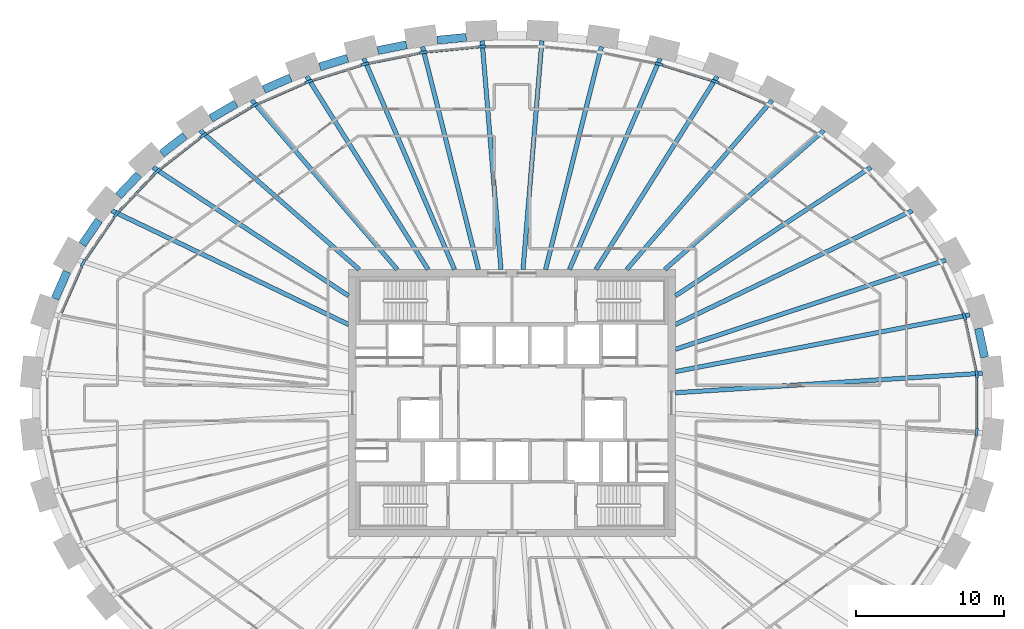
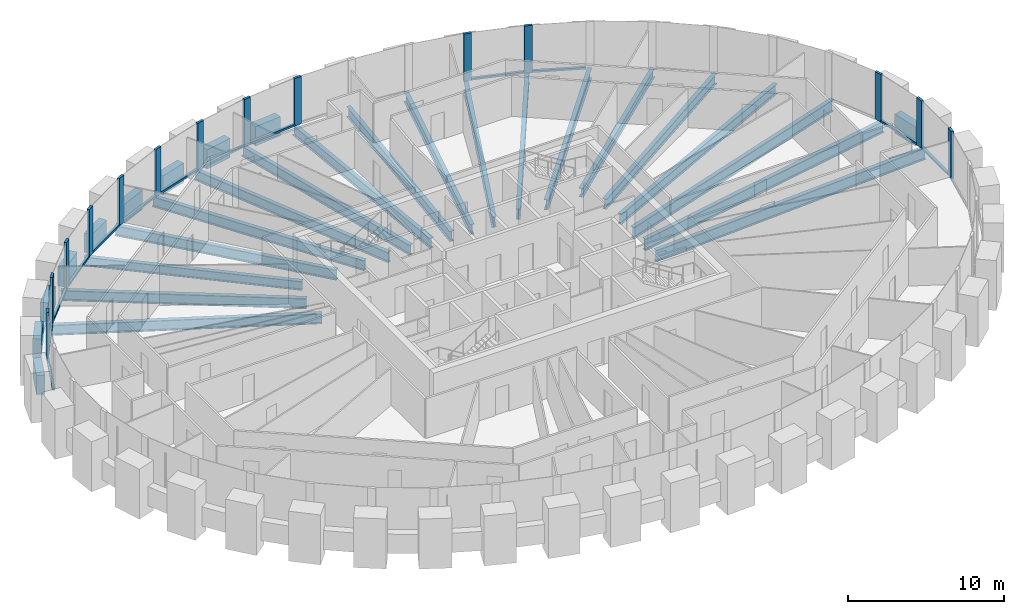
# One storey, part 3 of 12: 29 beams, 27 members, 1 element without a shape of its own.
"""IFC4 building model written with IfcOpenShell, lengths in metres."""

from ifc_helpers import new_model, si_unit, direction, frame, origin, origin_2d, place, context, subcontext, project, spatial, rectangle, i_section, extrude, source, transform, mapped, material, material_profile, profile_set, type_object, element, aggregate, save


model = new_model("IFC4")

# Units and contexts
model_context = context("Model", 3, precision=1e-05, world=origin(), true_north=direction((0.0, 1.0)))
body_context = subcontext(model_context, "Body", "Model", "MODEL_VIEW")
ifc_project = project(units=[si_unit("LENGTHUNIT", "METRE"), si_unit("AREAUNIT", "SQUARE_METRE"), si_unit("VOLUMEUNIT", "CUBIC_METRE"), si_unit("PLANEANGLEUNIT", "RADIAN"), si_unit("MASSUNIT", "GRAM", prefix="KILO")], contexts=[model_context])

# Site, building, storey
site_placement = place(None, origin())
site = spatial("IfcSite", under=ifc_project, at=site_placement, CompositionType="ELEMENT")
building_placement = place(site_placement, origin())
building = spatial("IfcBuilding", under=site, at=building_placement, Name="Embergate Tower", CompositionType="ELEMENT")
storey_placement = place(building_placement, frame((0.0, 0.0, 273.39990234375)))
storey = spatial("IfcBuildingStorey", under=building, at=storey_placement, Name="L63", CompositionType="ELEMENT", Elevation=273.39990234375)

# Beams
ifc_material_1 = material(Name="Concrete C60", Category="concrete")
ifc_material_profile_1 = material_profile(ifc_material_1, rectangle(XDim=0.550048828125, YDim=1.5, at=origin_2d()), Name="RC 550x1500")
ifc_profile_set_1 = profile_set([ifc_material_profile_1], Name="Concrete C60")
beam_type_1 = type_object("IfcBeamType", Name="Spandrel beam RC 550x1500 C60", PredefinedType="BEAM", material=ifc_profile_set_1)
shared_shape_1 = source(origin(), body_context, "Body", "SweptSolid", [
    extrude(rectangle(XDim=0.550048828125, YDim=1.5, at=origin_2d()), origin(), (0.0, 0.0, 1.0), 1.994384765625),
])
beam_1_placement = place(storey_placement, frame((31.842041015625, 3.0849609375, 0.0), z_axis=(-0.210055720301, 0.977689416108, 0.0), x_axis=(-0.977689416108, -0.210055720301, 0.0)))
element("IfcBeam", 1, at=beam_1_placement, inside=storey, type_object=beam_type_1, Name="SPN-L63-00", PredefinedType="BEAM", context=body_context, shape_type="MappedRepresentation", body=[
    mapped(shared_shape_1, transform((0.0, 0.0, 0.0))),
])
shared_shape_2 = source(origin(), body_context, "Body", "SweptSolid", [
    extrude(rectangle(XDim=0.550048828125, YDim=1.5, at=origin_2d()), origin(), (0.0, 0.0, 1.0), 1.989990234375),
])
beam_2_placement = place(storey_placement, frame((-29.97705078125, 8.85498046875, 0.0), z_axis=(-0.402047764255, -0.915618695341, 0.0), x_axis=(0.915618695341, -0.402047764255, 0.0)))
element("IfcBeam", 2, at=beam_2_placement, inside=storey, type_object=beam_type_1, Name="SPN-L63-19", PredefinedType="BEAM", context=body_context, shape_type="MappedRepresentation", body=[
    mapped(shared_shape_2, transform((0.0, 0.0, 0.0))),
])
shared_shape_3 = source(origin(), body_context, "Body", "SweptSolid", [
    extrude(rectangle(XDim=0.550048828125, YDim=1.5, at=origin_2d()), origin(), (0.0, 0.0, 1.0), 1.982421875),
])
beam_3_placement = place(storey_placement, frame((-27.827880859375, 12.322021484375, 0.0), z_axis=(-0.56257611142, -0.82674549824, 0.0), x_axis=(0.82674549824, -0.56257611142, 0.0)))
element("IfcBeam", 3, at=beam_3_placement, inside=storey, type_object=beam_type_1, Name="SPN-L63-18", PredefinedType="BEAM", context=body_context, shape_type="MappedRepresentation", body=[
    mapped(shared_shape_3, transform((0.0, 0.0, 0.0))),
])
shared_shape_4 = source(origin(), body_context, "Body", "SweptSolid", [
    extrude(rectangle(XDim=0.550048828125, YDim=1.5, at=origin_2d()), origin(), (0.0, 0.0, 1.0), 1.97900390625),
])
beam_4_placement = place(storey_placement, frame((-25.14306640625, 15.387939453125, 0.0), z_axis=(-0.690255649164, -0.723565573253, 0.0), x_axis=(0.723565573253, -0.690255649164, 0.0)))
element("IfcBeam", 4, at=beam_4_placement, inside=storey, type_object=beam_type_1, Name="SPN-L63-17", PredefinedType="BEAM", context=body_context, shape_type="MappedRepresentation", body=[
    mapped(shared_shape_4, transform((0.0, 0.0, 0.0))),
])
shared_shape_5 = source(origin(), body_context, "Body", "SweptSolid", [
    extrude(rectangle(XDim=0.550048828125, YDim=1.5, at=origin_2d()), origin(), (0.0, 0.0, 1.0), 1.974853515625),
])
beam_5_placement = place(storey_placement, frame((-22.030029296875, 18.011962890625, 0.0), z_axis=(-0.788385979859, -0.61518090572, 0.0), x_axis=(0.61518090572, -0.788385979859, 0.0)))
element("IfcBeam", 5, at=beam_5_placement, inside=storey, type_object=beam_type_1, Name="SPN-L63-16", PredefinedType="BEAM", context=body_context, shape_type="MappedRepresentation", body=[
    mapped(shared_shape_5, transform((0.0, 0.0, 0.0))),
])
shared_shape_6 = source(origin(), body_context, "Body", "SweptSolid", [
    extrude(rectangle(XDim=0.550048828125, YDim=1.5, at=origin_2d()), origin(), (0.0, 0.0, 1.0), 1.969482421875),
])
beam_6_placement = place(storey_placement, frame((-18.583984375, 20.174072265625, 0.0), z_axis=(-0.862106236571, -0.506727576578, 0.0), x_axis=(0.506727576578, -0.862106236571, 0.0)))
element("IfcBeam", 6, at=beam_6_placement, inside=storey, type_object=beam_type_1, Name="SPN-L63-15", PredefinedType="BEAM", context=body_context, shape_type="MappedRepresentation", body=[
    mapped(shared_shape_6, transform((0.0, 0.0, 0.0))),
])
shared_shape_7 = source(origin(), body_context, "Body", "SweptSolid", [
    extrude(rectangle(XDim=0.550048828125, YDim=1.5, at=origin_2d()), origin(), (0.0, 0.0, 1.0), 1.96630859375),
])
beam_7_placement = place(storey_placement, frame((-14.912109375, 21.916015625, 0.0), z_axis=(-0.916393681964, -0.400278177842, 0.0), x_axis=(0.400278177842, -0.916393681964, 0.0)))
element("IfcBeam", 7, at=beam_7_placement, inside=storey, type_object=beam_type_1, Name="SPN-L63-14", PredefinedType="BEAM", context=body_context, shape_type="MappedRepresentation", body=[
    mapped(shared_shape_7, transform((0.0, 0.0, 0.0))),
])
shared_shape_8 = source(origin(), body_context, "Body", "SweptSolid", [
    extrude(rectangle(XDim=0.550048828125, YDim=1.5, at=origin_2d()), origin(), (0.0, 0.0, 1.0), 1.96484375),
])
beam_8_placement = place(storey_placement, frame((-11.069091796875, 23.235107421875, 0.0), z_axis=(-0.954771364399, -0.297340951979, 0.0), x_axis=(0.297340951979, -0.954771364399, 0.0)))
element("IfcBeam", 8, at=beam_8_placement, inside=storey, type_object=beam_type_1, Name="SPN-L63-13", PredefinedType="BEAM", context=body_context, shape_type="MappedRepresentation", body=[
    mapped(shared_shape_8, transform((0.0, 0.0, 0.0))),
])
shared_shape_9 = source(origin(), body_context, "Body", "SweptSolid", [
    extrude(rectangle(XDim=0.550048828125, YDim=1.5, at=origin_2d()), origin(), (0.0, 0.0, 1.0), 1.963134765625),
])
beam_9_placement = place(storey_placement, frame((-7.10888671875, 24.139892578125, 0.0), z_axis=(-0.980580675691, -0.196116135138, 0.0), x_axis=(0.196116135138, -0.980580675691, 0.0)))
element("IfcBeam", 9, at=beam_9_placement, inside=storey, type_object=beam_type_1, Name="SPN-L63-12", PredefinedType="BEAM", context=body_context, shape_type="MappedRepresentation", body=[
    mapped(shared_shape_9, transform((0.0, 0.0, 0.0))),
])
shared_shape_10 = source(origin(), body_context, "Body", "SweptSolid", [
    extrude(rectangle(XDim=0.550048828125, YDim=1.5, at=origin_2d()), origin(), (0.0, 0.0, 1.0), 1.96240234375),
])
beam_10_placement = place(storey_placement, frame((-3.0791015625, 24.64208984375, 0.0), z_axis=(-0.99519482752, -0.097914530474, 0.0), x_axis=(0.097914530474, -0.99519482752, 0.0)))
element("IfcBeam", 10, at=beam_10_placement, inside=storey, type_object=beam_type_1, Name="SPN-L63-11", PredefinedType="BEAM", context=body_context, shape_type="MappedRepresentation", body=[
    mapped(shared_shape_10, transform((0.0, 0.0, 0.0))),
])
ifc_material_2 = material(Name="Steel Q355B", Category="steel")
ifc_material_profile_2 = material_profile(ifc_material_2, i_section(OverallWidth=0.300048828125, OverallDepth=0.89990234375, WebThickness=0.01611328125, FlangeThickness=0.028076171875, FilletRadius=0.028076171875, at=origin_2d()), Name="HN 900x300x16x28")
ifc_profile_set_2 = profile_set([ifc_material_profile_2], Name="Steel Q355 grade B")
beam_type_2 = type_object("IfcBeamType", Name="Radial girder HN 900x300x16x28", PredefinedType="BEAM", material=ifc_profile_set_2)
shared_shape_11 = source(origin(), body_context, "Body", "SweptSolid", [
    extrude(i_section(OverallWidth=0.300048828125, OverallDepth=0.89990234375, WebThickness=0.01611328125, FlangeThickness=0.028076171875, FilletRadius=0.028076171875, at=origin_2d()), origin(), (0.0, 0.0, 1.0), 20.730712890625),
])
beam_11_placement = place(storey_placement, frame((31.68896484375, 2.012939453125, -0.64990234375), z_axis=(-0.997989293992, -0.06338271908, 0.0), x_axis=(0.06338271908, -0.997989293992, 0.0)))
element("IfcBeam", 11, at=beam_11_placement, inside=storey, type_object=beam_type_2, Name="GIR-L63-00", PredefinedType="BEAM", context=body_context, shape_type="MappedRepresentation", body=[
    mapped(shared_shape_11, transform((0.0, 0.0, 0.0))),
])
shared_shape_12 = source(origin(), body_context, "Body", "SweptSolid", [
    extrude(i_section(OverallWidth=0.300048828125, OverallDepth=0.89990234375, WebThickness=0.01611328125, FlangeThickness=0.028076171875, FilletRadius=0.028076171875, at=origin_2d()), origin(), (0.0, 0.0, 1.0), 20.2080078125),
])
beam_12_placement = place(storey_placement, frame((30.842041015625, 5.949951171875, -0.64990234375), z_axis=(-0.981895200214, -0.189424960862, 0.0), x_axis=(0.189424960862, -0.981895200214, 0.0)))
element("IfcBeam", 12, at=beam_12_placement, inside=storey, type_object=beam_type_2, Name="GIR-L63-01", PredefinedType="BEAM", context=body_context, shape_type="MappedRepresentation", body=[
    mapped(shared_shape_12, transform((0.0, 0.0, 0.0))),
])
shared_shape_13 = source(origin(), body_context, "Body", "SweptSolid", [
    extrude(i_section(OverallWidth=0.300048828125, OverallDepth=0.89990234375, WebThickness=0.01611328125, FlangeThickness=0.028076171875, FilletRadius=0.028076171875, at=origin_2d()), origin(), (0.0, 0.0, 1.0), 19.189453125),
])
beam_13_placement = place(storey_placement, frame((29.22412109375, 9.636962890625, -0.64990234375), z_axis=(-0.949689890727, -0.313191812555, 0.0), x_axis=(0.313191812555, -0.949689890727, 0.0)))
element("IfcBeam", 13, at=beam_13_placement, inside=storey, type_object=beam_type_2, Name="GIR-L63-02", PredefinedType="BEAM", context=body_context, shape_type="MappedRepresentation", body=[
    mapped(shared_shape_13, transform((0.0, 0.0, 0.0))),
])
ifc_material_profile_3 = material_profile(ifc_material_2, i_section(OverallWidth=0.300048828125, OverallDepth=0.800048828125, WebThickness=0.013916015625, FlangeThickness=0.02587890625, FilletRadius=0.028076171875, at=origin_2d()), Name="HN 800x300x14x26")
ifc_profile_set_3 = profile_set([ifc_material_profile_3], Name="Steel Q355 grade B")
beam_type_3 = type_object("IfcBeamType", Name="Radial girder HN 800x300x14x26", PredefinedType="BEAM", material=ifc_profile_set_3)
shared_shape_14 = source(origin(), body_context, "Body", "SweptSolid", [
    extrude(i_section(OverallWidth=0.300048828125, OverallDepth=0.800048828125, WebThickness=0.013916015625, FlangeThickness=0.02587890625, FilletRadius=0.028076171875, at=origin_2d()), origin(), (0.0, 0.0, 1.0), 17.70947265625),
])
for number, where, z_axis, x_axis, name in (
    (14, (26.958984375, 12.968994140625, -0.599853515625), (-0.901155084862, -0.433496843157, 0.0), (0.433496843157, -0.901155084862, 0.0), "GIR-L63-03"),
    (15, (-26.958984375, 12.968994140625, -0.599853515625), (0.901155084862, -0.433496843157, 0.0), (0.433496843157, 0.901155084862, 0.0), "GIR-L63-18"),
):
    element("IfcBeam", number, at=place(storey_placement, frame(where, z_axis=z_axis, x_axis=x_axis)), inside=storey, type_object=beam_type_3, Name=name, PredefinedType="BEAM", context=body_context, shape_type="MappedRepresentation", body=[
        mapped(shared_shape_14, transform((0.0, 0.0, 0.0))),
    ])
shared_shape_15 = source(origin(), body_context, "Body", "SweptSolid", [
    extrude(i_section(OverallWidth=0.300048828125, OverallDepth=0.800048828125, WebThickness=0.013916015625, FlangeThickness=0.02587890625, FilletRadius=0.028076171875, at=origin_2d()), origin(), (0.0, 0.0, 1.0), 15.767578125),
])
for number, where, z_axis, x_axis, name in (
    (16, (24.177978515625, 15.885009765625, -0.599853515625), (-0.835759482959, -0.549095698986, 0.0), (0.549095698986, -0.835759482959, 0.0), "GIR-L63-04"),
    (17, (-24.177978515625, 15.885009765625, -0.599853515625), (0.835759482959, -0.549095698986, 0.0), (0.549095698986, 0.835759482959, 0.0), "GIR-L63-17"),
):
    element("IfcBeam", number, at=place(storey_placement, frame(where, z_axis=z_axis, x_axis=x_axis)), inside=storey, type_object=beam_type_3, Name=name, PredefinedType="BEAM", context=body_context, shape_type="MappedRepresentation", body=[
        mapped(shared_shape_15, transform((0.0, 0.0, 0.0))),
    ])
ifc_material_profile_4 = material_profile(ifc_material_2, i_section(OverallWidth=0.300048828125, OverallDepth=0.699951171875, WebThickness=0.012939453125, FlangeThickness=0.02392578125, FilletRadius=0.01806640625, at=origin_2d()), Name="HN 700x300x13x24")
ifc_profile_set_4 = profile_set([ifc_material_profile_4], Name="Steel Q355 grade B")
beam_type_4 = type_object("IfcBeamType", Name="Radial girder HN 700x300x13x24", PredefinedType="BEAM", material=ifc_profile_set_4)
shared_shape_16 = source(origin(), body_context, "Body", "SweptSolid", [
    extrude(i_section(OverallWidth=0.300048828125, OverallDepth=0.699951171875, WebThickness=0.012939453125, FlangeThickness=0.02392578125, FilletRadius=0.01806640625, at=origin_2d()), origin(), (0.0, 0.0, 1.0), 14.226318359375),
])
for number, where, z_axis, x_axis, name in (
    (18, (21.0009765625, 18.364990234375, -0.5498046875), (-0.752763768185, -0.658290748308, 0.0), (0.658290748308, -0.752763768185, 0.0), "GIR-L63-05"),
    (19, (-21.0009765625, 18.364990234375, -0.5498046875), (0.752763768185, -0.658290748308, 0.0), (0.658290748308, 0.752763768185, 0.0), "GIR-L63-16"),
):
    element("IfcBeam", number, at=place(storey_placement, frame(where, z_axis=z_axis, x_axis=x_axis)), inside=storey, type_object=beam_type_4, Name=name, PredefinedType="BEAM", context=body_context, shape_type="MappedRepresentation", body=[
        mapped(shared_shape_16, transform((0.0, 0.0, 0.0))),
    ])
shared_shape_17 = source(origin(), body_context, "Body", "SweptSolid", [
    extrude(i_section(OverallWidth=0.300048828125, OverallDepth=0.800048828125, WebThickness=0.013916015625, FlangeThickness=0.02587890625, FilletRadius=0.028076171875, at=origin_2d()), origin(), (0.0, 0.0, 1.0), 15.03662109375),
])
for number, where, z_axis, x_axis, name in (
    (20, (17.52490234375, 20.407958984375, -0.599853515625), (-0.651467693725, -0.758676376351, 0.0), (0.758676376351, -0.651467693725, 0.0), "GIR-L63-06"),
    (21, (-17.52490234375, 20.407958984375, -0.599853515625), (0.651467693725, -0.758676376351, 0.0), (0.758676376351, 0.651467693725, 0.0), "GIR-L63-15"),
):
    element("IfcBeam", number, at=place(storey_placement, frame(where, z_axis=z_axis, x_axis=x_axis)), inside=storey, type_object=beam_type_3, Name=name, PredefinedType="BEAM", context=body_context, shape_type="MappedRepresentation", body=[
        mapped(shared_shape_17, transform((0.0, 0.0, 0.0))),
    ])
shared_shape_18 = source(origin(), body_context, "Body", "SweptSolid", [
    extrude(i_section(OverallWidth=0.300048828125, OverallDepth=0.800048828125, WebThickness=0.013916015625, FlangeThickness=0.02587890625, FilletRadius=0.028076171875, at=origin_2d()), origin(), (0.0, 0.0, 1.0), 15.37841796875),
])
for number, where, z_axis, x_axis, name in (
    (22, (13.83203125, 22.02294921875, -0.599853515625), (-0.53184995305, -0.84683860767, 0.0), (0.84683860767, -0.53184995305, 0.0), "GIR-L63-07"),
    (23, (-13.83203125, 22.02294921875, -0.599853515625), (0.53184995305, -0.84683860767, 0.0), (0.84683860767, 0.53184995305, 0.0), "GIR-L63-14"),
):
    element("IfcBeam", number, at=place(storey_placement, frame(where, z_axis=z_axis, x_axis=x_axis)), inside=storey, type_object=beam_type_3, Name=name, PredefinedType="BEAM", context=body_context, shape_type="MappedRepresentation", body=[
        mapped(shared_shape_18, transform((0.0, 0.0, 0.0))),
    ])
shared_shape_19 = source(origin(), body_context, "Body", "SweptSolid", [
    extrude(i_section(OverallWidth=0.300048828125, OverallDepth=0.800048828125, WebThickness=0.013916015625, FlangeThickness=0.02587890625, FilletRadius=0.028076171875, at=origin_2d()), origin(), (0.0, 0.0, 1.0), 15.4814453125),
])
for number, where, z_axis, x_axis, name in (
    (24, (9.98291015625, 23.222900390625, -0.599853515625), (-0.394927796759, -0.918712161314, 0.0), (0.918712161314, -0.394927796759, 0.0), "GIR-L63-08"),
    (25, (-9.98291015625, 23.222900390625, -0.599853515625), (0.394927796759, -0.918712161314, 0.0), (0.918712161314, 0.394927796759, 0.0), "GIR-L63-13"),
):
    element("IfcBeam", number, at=place(storey_placement, frame(where, z_axis=z_axis, x_axis=x_axis)), inside=storey, type_object=beam_type_3, Name=name, PredefinedType="BEAM", context=body_context, shape_type="MappedRepresentation", body=[
        mapped(shared_shape_19, transform((0.0, 0.0, 0.0))),
    ])
shared_shape_20 = source(origin(), body_context, "Body", "SweptSolid", [
    extrude(i_section(OverallWidth=0.300048828125, OverallDepth=0.800048828125, WebThickness=0.013916015625, FlangeThickness=0.02587890625, FilletRadius=0.028076171875, at=origin_2d()), origin(), (0.0, 0.0, 1.0), 15.48095703125),
])
for number, where, z_axis, x_axis, name in (
    (26, (6.029052734375, 24.014892578125, -0.599853515625), (-0.243526249663, -0.969894306471, 0.0), (0.969894306471, -0.243526249663, 0.0), "GIR-L63-09"),
    (27, (-6.029052734375, 24.014892578125, -0.599853515625), (0.243526249663, -0.969894306471, 0.0), (0.969894306471, 0.243526249663, 0.0), "GIR-L63-12"),
):
    element("IfcBeam", number, at=place(storey_placement, frame(where, z_axis=z_axis, x_axis=x_axis)), inside=storey, type_object=beam_type_3, Name=name, PredefinedType="BEAM", context=body_context, shape_type="MappedRepresentation", body=[
        mapped(shared_shape_20, transform((0.0, 0.0, 0.0))),
    ])
shared_shape_21 = source(origin(), body_context, "Body", "SweptSolid", [
    extrude(i_section(OverallWidth=0.300048828125, OverallDepth=0.800048828125, WebThickness=0.013916015625, FlangeThickness=0.02587890625, FilletRadius=0.028076171875, at=origin_2d()), origin(), (0.0, 0.0, 1.0), 15.46240234375),
])
for number, where, z_axis, x_axis, name in (
    (28, (2.01611328125, 24.409912109375, -0.599853515625), (-0.082341147883, -0.99660420196, 0.0), (0.99660420196, -0.082341147883, 0.0), "GIR-L63-10"),
    (29, (-2.01611328125, 24.409912109375, -0.599853515625), (0.082341147883, -0.99660420196, 0.0), (0.99660420196, 0.082341147883, 0.0), "GIR-L63-11"),
):
    element("IfcBeam", number, at=place(storey_placement, frame(where, z_axis=z_axis, x_axis=x_axis)), inside=storey, type_object=beam_type_3, Name=name, PredefinedType="BEAM", context=body_context, shape_type="MappedRepresentation", body=[
        mapped(shared_shape_21, transform((0.0, 0.0, 0.0))),
    ])

# Curtain wall, members
ifc_material_3 = material(Name="Aluminium and glass", Category="aluminium")
curtain_wall_type = type_object("IfcCurtainWallType", Name="Recessed office glazing", PredefinedType="NOTDEFINED", material=ifc_material_3)
curtain_wall_placement = place(storey_placement, origin())
curtain_wall = element("IfcCurtainWall", 30, at=curtain_wall_placement, inside=storey, type_object=curtain_wall_type, Name="Recessed office glazing ring", ObjectType="RECESSED OFFICE GLAZING", PredefinedType="USERDEFINED")
ifc_material_4 = material(Name="Aluminium, thermally broken", Category="aluminium")
ifc_material_profile_5 = material_profile(ifc_material_4, rectangle(XDim=0.179931640625, YDim=0.52001953125, at=origin_2d()), Name="AL 520x180")
ifc_profile_set_5 = profile_set([ifc_material_profile_5], Name="Aluminium, thermally broken")
member_type_1 = type_object("IfcMemberType", Name="Office mullion", PredefinedType="MULLION", material=ifc_profile_set_5)
shared_shape_22 = source(origin(), body_context, "Body", "SweptSolid", [
    extrude(rectangle(XDim=0.179931640625, YDim=0.52001953125, at=origin_2d()), origin(), (0.0, 0.0, 1.0), 3.7001953125),
])
member_1_placement = place(storey_placement, frame((31.301513671875, 1.971435546875, 0.0), z_axis=(0.0, 0.0, 1.0), x_axis=(-0.994384215926, -0.105830199459, 0.0)))
member_1 = element("IfcMember", 31, at=member_1_placement, type_object=member_type_1, Name="CW mullion 1", PredefinedType="MULLION", context=body_context, shape_type="MappedRepresentation", body=[
    mapped(shared_shape_22, transform((0.0, 0.0, 0.0))),
])
member_2_placement = place(storey_placement, frame((30.47119140625, 5.82861328125, 0.0), z_axis=(0.0, 0.0, 1.0), x_axis=(-0.951492965233, -0.307670500881, 0.0)))
member_2 = element("IfcMember", 32, at=member_2_placement, type_object=member_type_1, Name="CW mullion 2", PredefinedType="MULLION", context=body_context, shape_type="MappedRepresentation", body=[
    mapped(shared_shape_22, transform((0.0, 0.0, 0.0))),
])
member_3_placement = place(storey_placement, frame((13.69580078125, 21.657958984375, 0.0), z_axis=(0.0, 0.0, 1.0), x_axis=(-0.349496141799, -0.936937803094, 0.0)))
member_3 = element("IfcMember", 33, at=member_3_placement, type_object=member_type_1, Name="CW mullion 8", PredefinedType="MULLION", context=body_context, shape_type="MappedRepresentation", body=[
    mapped(shared_shape_22, transform((0.0, 0.0, 0.0))),
])
member_4_placement = place(storey_placement, frame((9.885986328125, 22.844482421875, 0.0), z_axis=(0.0, 0.0, 1.0), x_axis=(-0.24730680803, -0.968937223303, 0.0)))
member_4 = element("IfcMember", 34, at=member_4_placement, type_object=member_type_1, Name="CW mullion 9", PredefinedType="MULLION", context=body_context, shape_type="MappedRepresentation", body=[
    mapped(shared_shape_22, transform((0.0, 0.0, 0.0))),
])
member_5_placement = place(storey_placement, frame((-1.9970703125, 24.020263671875, 0.0), z_axis=(0.0, 0.0, 1.0), x_axis=(0.048970053385, -0.998800247232, 0.0)))
member_5 = element("IfcMember", 35, at=member_5_placement, type_object=member_type_1, Name="CW mullion 12", PredefinedType="MULLION", context=body_context, shape_type="MappedRepresentation", body=[
    mapped(shared_shape_22, transform((0.0, 0.0, 0.0))),
])
member_6_placement = place(storey_placement, frame((-5.9716796875, 23.629638671875, 0.0), z_axis=(0.0, 0.0, 1.0), x_axis=(0.147408930294, -0.989075632735, 0.0)))
member_6 = element("IfcMember", 36, at=member_6_placement, type_object=member_type_1, Name="CW mullion 13", PredefinedType="MULLION", context=body_context, shape_type="MappedRepresentation", body=[
    mapped(shared_shape_22, transform((0.0, 0.0, 0.0))),
])
member_7_placement = place(storey_placement, frame((-9.885986328125, 22.844482421875, 0.0), z_axis=(0.0, 0.0, 1.0), x_axis=(0.24730680803, -0.968937223303, 0.0)))
member_7 = element("IfcMember", 37, at=member_7_placement, type_object=member_type_1, Name="CW mullion 14", PredefinedType="MULLION", context=body_context, shape_type="MappedRepresentation", body=[
    mapped(shared_shape_22, transform((0.0, 0.0, 0.0))),
])
member_8_placement = place(storey_placement, frame((-13.69580078125, 21.657958984375, 0.0), z_axis=(0.0, 0.0, 1.0), x_axis=(0.349496141799, -0.936937803094, 0.0)))
member_8 = element("IfcMember", 38, at=member_8_placement, type_object=member_type_1, Name="CW mullion 15", PredefinedType="MULLION", context=body_context, shape_type="MappedRepresentation", body=[
    mapped(shared_shape_22, transform((0.0, 0.0, 0.0))),
])
member_9_placement = place(storey_placement, frame((-17.34912109375, 20.060791015625, 0.0), z_axis=(0.0, 0.0, 1.0), x_axis=(0.454503607328, -0.89074489666, 0.0)))
member_9 = element("IfcMember", 39, at=member_9_placement, type_object=member_type_1, Name="CW mullion 16", PredefinedType="MULLION", context=body_context, shape_type="MappedRepresentation", body=[
    mapped(shared_shape_22, transform((0.0, 0.0, 0.0))),
])
member_10_placement = place(storey_placement, frame((-20.781982421875, 18.042236328125, 0.0), z_axis=(0.0, 0.0, 1.0), x_axis=(0.562207514921, -0.82699619719, 0.0)))
member_10 = element("IfcMember", 40, at=member_10_placement, type_object=member_type_1, Name="CW mullion 17", PredefinedType="MULLION", context=body_context, shape_type="MappedRepresentation", body=[
    mapped(shared_shape_22, transform((0.0, 0.0, 0.0))),
])
member_11_placement = place(storey_placement, frame((-23.9169921875, 15.595703125, 0.0), z_axis=(0.0, 0.0, 1.0), x_axis=(0.671216184057, -0.741261650337, 0.0)))
member_11 = element("IfcMember", 41, at=member_11_placement, type_object=member_type_1, Name="CW mullion 18", PredefinedType="MULLION", context=body_context, shape_type="MappedRepresentation", body=[
    mapped(shared_shape_22, transform((0.0, 0.0, 0.0))),
])
member_12_placement = place(storey_placement, frame((-26.656494140625, 12.72314453125, 0.0), z_axis=(0.0, 0.0, 1.0), x_axis=(0.777861596203, -0.628435626897, 0.0)))
member_12 = element("IfcMember", 42, at=member_12_placement, type_object=member_type_1, Name="CW mullion 19", PredefinedType="MULLION", context=body_context, shape_type="MappedRepresentation", body=[
    mapped(shared_shape_22, transform((0.0, 0.0, 0.0))),
])
member_13_placement = place(storey_placement, frame((-28.8837890625, 9.447998046875, 0.0), z_axis=(0.0, 0.0, 1.0), x_axis=(0.874992601244, -0.484136290489, 0.0)))
member_13 = element("IfcMember", 43, at=member_13_placement, type_object=member_type_1, Name="CW mullion 20", PredefinedType="MULLION", context=body_context, shape_type="MappedRepresentation", body=[
    mapped(shared_shape_22, transform((0.0, 0.0, 0.0))),
])
member_14_placement = place(storey_placement, frame((31.301513671875, -1.971435546875, 0.0), z_axis=(0.0, 0.0, 1.0), x_axis=(-0.994384215926, 0.105830199459, 0.0)))
member_14 = element("IfcMember", 44, at=member_14_placement, type_object=member_type_1, Name="CW mullion 44", PredefinedType="MULLION", context=body_context, shape_type="MappedRepresentation", body=[
    mapped(shared_shape_22, transform((0.0, 0.0, 0.0))),
])
ifc_material_profile_6 = material_profile(ifc_material_4, rectangle(XDim=0.179931640625, YDim=0.14990234375, at=origin_2d()), Name="AL 150x180")
ifc_profile_set_6 = profile_set([ifc_material_profile_6], Name="Aluminium, thermally broken")
member_type_2 = type_object("IfcMemberType", Name="Office sill transom", PredefinedType="USERDEFINED", material=ifc_profile_set_6)
shared_shape_23 = source(origin(), body_context, "Body", "SweptSolid", [
    extrude(rectangle(XDim=0.179931640625, YDim=0.14990234375, at=origin_2d()), origin(), (0.0, 0.0, 1.0), 3.42529296875),
])
member_15_placement = place(storey_placement, frame((31.24658203125, 2.2255859375, 0.0751953125), z_axis=(-0.210405171299, 0.977614271526, 0.0), x_axis=(-0.977614271526, -0.210405171299, 0.0)))
member_15 = element("IfcMember", 45, at=member_15_placement, type_object=member_type_2, Name="CW transom 1.1", ObjectType="TRANSOM", PredefinedType="USERDEFINED", context=body_context, shape_type="MappedRepresentation", body=[
    mapped(shared_shape_23, transform((0.0, 0.0, 0.0))),
])
shared_shape_24 = source(origin(), body_context, "Body", "SweptSolid", [
    extrude(rectangle(XDim=0.179931640625, YDim=0.14990234375, at=origin_2d()), origin(), (0.0, 0.0, 1.0), 3.43212890625),
])
member_16_placement = place(storey_placement, frame((-28.98828125, 9.209716796875, 0.0751953125), z_axis=(-0.401632188585, -0.915801061963, 0.0), x_axis=(0.915801061963, -0.401632188585, 0.0)))
member_16 = element("IfcMember", 46, at=member_16_placement, type_object=member_type_2, Name="CW transom 20.1", ObjectType="TRANSOM", PredefinedType="USERDEFINED", context=body_context, shape_type="MappedRepresentation", body=[
    mapped(shared_shape_24, transform((0.0, 0.0, 0.0))),
])
shared_shape_25 = source(origin(), body_context, "Body", "SweptSolid", [
    extrude(rectangle(XDim=0.179931640625, YDim=0.14990234375, at=origin_2d()), origin(), (0.0, 0.0, 1.0), 3.44091796875),
])
member_17_placement = place(storey_placement, frame((-26.802490234375, 12.508056640625, 0.0751953125), z_axis=(-0.562372122954, -0.826884269607, 0.0), x_axis=(0.826884269607, -0.562372122954, 0.0)))
member_17 = element("IfcMember", 47, at=member_17_placement, type_object=member_type_2, Name="CW transom 19.1", ObjectType="TRANSOM", PredefinedType="USERDEFINED", context=body_context, shape_type="MappedRepresentation", body=[
    mapped(shared_shape_25, transform((0.0, 0.0, 0.0))),
])
shared_shape_26 = source(origin(), body_context, "Body", "SweptSolid", [
    extrude(rectangle(XDim=0.179931640625, YDim=0.14990234375, at=origin_2d()), origin(), (0.0, 0.0, 1.0), 3.449462890625),
])
member_18_placement = place(storey_placement, frame((-24.096435546875, 15.407470703125, 0.0751953125), z_axis=(-0.690133956855, -0.723681643815, 0.0), x_axis=(0.723681643815, -0.690133956855, 0.0)))
member_18 = element("IfcMember", 48, at=member_18_placement, type_object=member_type_2, Name="CW transom 18.1", ObjectType="TRANSOM", PredefinedType="USERDEFINED", context=body_context, shape_type="MappedRepresentation", body=[
    mapped(shared_shape_26, transform((0.0, 0.0, 0.0))),
])
shared_shape_27 = source(origin(), body_context, "Body", "SweptSolid", [
    extrude(rectangle(XDim=0.179931640625, YDim=0.14990234375, at=origin_2d()), origin(), (0.0, 0.0, 1.0), 3.456787109375),
])
member_19_placement = place(storey_placement, frame((-20.987060546875, 17.88232421875, 0.0751953125), z_axis=(-0.788343354806, -0.615235528016, 0.0), x_axis=(0.615235528016, -0.788343354806, 0.0)))
member_19 = element("IfcMember", 49, at=member_19_placement, type_object=member_type_2, Name="CW transom 17.1", ObjectType="TRANSOM", PredefinedType="USERDEFINED", context=body_context, shape_type="MappedRepresentation", body=[
    mapped(shared_shape_27, transform((0.0, 0.0, 0.0))),
])
shared_shape_28 = source(origin(), body_context, "Body", "SweptSolid", [
    extrude(rectangle(XDim=0.179931640625, YDim=0.14990234375, at=origin_2d()), origin(), (0.0, 0.0, 1.0), 3.462646484375),
])
member_20_placement = place(storey_placement, frame((-17.572998046875, 19.928955078125, 0.0751953125), z_axis=(-0.862068308193, -0.506792099394, 0.0), x_axis=(0.506792099394, -0.862068308193, 0.0)))
member_20 = element("IfcMember", 50, at=member_20_placement, type_object=member_type_2, Name="CW transom 16.1", ObjectType="TRANSOM", PredefinedType="USERDEFINED", context=body_context, shape_type="MappedRepresentation", body=[
    mapped(shared_shape_28, transform((0.0, 0.0, 0.0))),
])
shared_shape_29 = source(origin(), body_context, "Body", "SweptSolid", [
    extrude(rectangle(XDim=0.179931640625, YDim=0.14990234375, at=origin_2d()), origin(), (0.0, 0.0, 1.0), 3.467041015625),
])
member_21_placement = place(storey_placement, frame((17.110595703125, 20.164794921875, 0.0751953125), z_axis=(-0.916217122843, 0.400682148104, 0.0), x_axis=(-0.400682148104, -0.916217122843, 0.0)))
member_21 = element("IfcMember", 51, at=member_21_placement, type_object=member_type_2, Name="CW transom 7.1", ObjectType="TRANSOM", PredefinedType="USERDEFINED", context=body_context, shape_type="MappedRepresentation", body=[
    mapped(shared_shape_29, transform((0.0, 0.0, 0.0))),
])
member_22_placement = place(storey_placement, frame((-13.93408203125, 21.553955078125, 0.0751953125), z_axis=(-0.916217122843, -0.400682148104, 0.0), x_axis=(0.400682148104, -0.916217122843, 0.0)))
member_22 = element("IfcMember", 52, at=member_22_placement, type_object=member_type_2, Name="CW transom 15.1", ObjectType="TRANSOM", PredefinedType="USERDEFINED", context=body_context, shape_type="MappedRepresentation", body=[
    mapped(shared_shape_29, transform((0.0, 0.0, 0.0))),
])
shared_shape_30 = source(origin(), body_context, "Body", "SweptSolid", [
    extrude(rectangle(XDim=0.179931640625, YDim=0.14990234375, at=origin_2d()), origin(), (0.0, 0.0, 1.0), 3.470458984375),
])
member_23_placement = place(storey_placement, frame((13.44775390625, 21.7353515625, 0.0751953125), z_axis=(-0.954784910088, 0.297297452846, 0.0), x_axis=(-0.297297452846, -0.954784910088, 0.0)))
member_23 = element("IfcMember", 53, at=member_23_placement, type_object=member_type_2, Name="CW transom 8.1", ObjectType="TRANSOM", PredefinedType="USERDEFINED", context=body_context, shape_type="MappedRepresentation", body=[
    mapped(shared_shape_30, transform((0.0, 0.0, 0.0))),
])
member_24_placement = place(storey_placement, frame((-10.13427734375, 22.76708984375, 0.0751953125), z_axis=(-0.954784910088, -0.297297452846, 0.0), x_axis=(0.297297452846, -0.954784910088, 0.0)))
member_24 = element("IfcMember", 54, at=member_24_placement, type_object=member_type_2, Name="CW transom 14.1", ObjectType="TRANSOM", PredefinedType="USERDEFINED", context=body_context, shape_type="MappedRepresentation", body=[
    mapped(shared_shape_30, transform((0.0, 0.0, 0.0))),
])
shared_shape_31 = source(origin(), body_context, "Body", "SweptSolid", [
    extrude(rectangle(XDim=0.179931640625, YDim=0.14990234375, at=origin_2d()), origin(), (0.0, 0.0, 1.0), 3.472412109375),
])
member_25_placement = place(storey_placement, frame((-6.2265625, 23.578369140625, 0.0751953125), z_axis=(-0.980472357372, -0.196656951134, 0.0), x_axis=(0.196656951134, -0.980472357372, 0.0)))
member_25 = element("IfcMember", 55, at=member_25_placement, type_object=member_type_2, Name="CW transom 13.1", ObjectType="TRANSOM", PredefinedType="USERDEFINED", context=body_context, shape_type="MappedRepresentation", body=[
    mapped(shared_shape_31, transform((0.0, 0.0, 0.0))),
])
shared_shape_32 = source(origin(), body_context, "Body", "SweptSolid", [
    extrude(rectangle(XDim=0.179931640625, YDim=0.14990234375, at=origin_2d()), origin(), (0.0, 0.0, 1.0), 3.4736328125),
])
member_26_placement = place(storey_placement, frame((-2.255859375, 23.994873046875, 0.0751953125), z_axis=(-0.99520279702, -0.0978334953, 0.0), x_axis=(0.0978334953, -0.99520279702, 0.0)))
member_26 = element("IfcMember", 56, at=member_26_placement, type_object=member_type_2, Name="CW transom 12.1", ObjectType="TRANSOM", PredefinedType="USERDEFINED", context=body_context, shape_type="MappedRepresentation", body=[
    mapped(shared_shape_32, transform((0.0, 0.0, 0.0))),
])
shared_shape_33 = source(origin(), body_context, "Body", "SweptSolid", [
    extrude(rectangle(XDim=0.179931640625, YDim=0.14990234375, at=origin_2d()), origin(), (0.0, 0.0, 1.0), 3.4228515625),
])
member_27_placement = place(storey_placement, frame((31.301513671875, -1.71142578125, 0.0751953125), z_axis=(0.0, 1.0, 0.0), x_axis=(-1.0, 0.0, 0.0)))
member_27 = element("IfcMember", 57, at=member_27_placement, type_object=member_type_2, Name="CW transom 44.1", ObjectType="TRANSOM", PredefinedType="USERDEFINED", context=body_context, shape_type="MappedRepresentation", body=[
    mapped(shared_shape_33, transform((0.0, 0.0, 0.0))),
])
aggregate(curtain_wall, [member_1, member_2, member_3, member_4, member_5, member_6, member_7, member_8, member_9, member_10, member_11, member_12, member_13, member_14, member_15, member_21, member_23, member_26, member_25, member_24, member_22, member_20, member_19, member_18, member_17, member_16, member_27])

save(model, "model.ifc")
